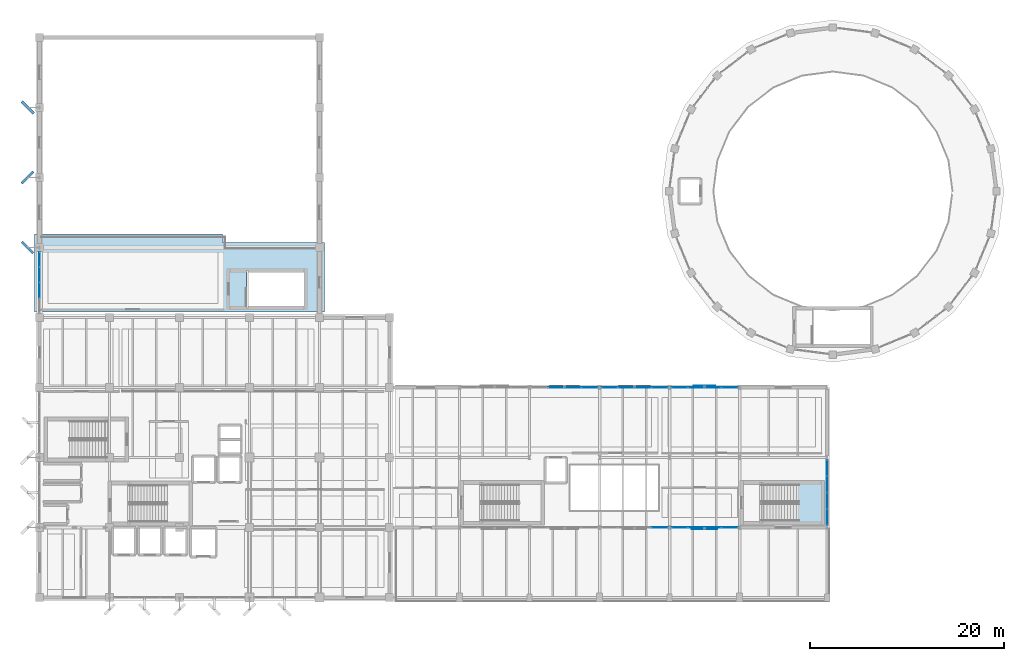
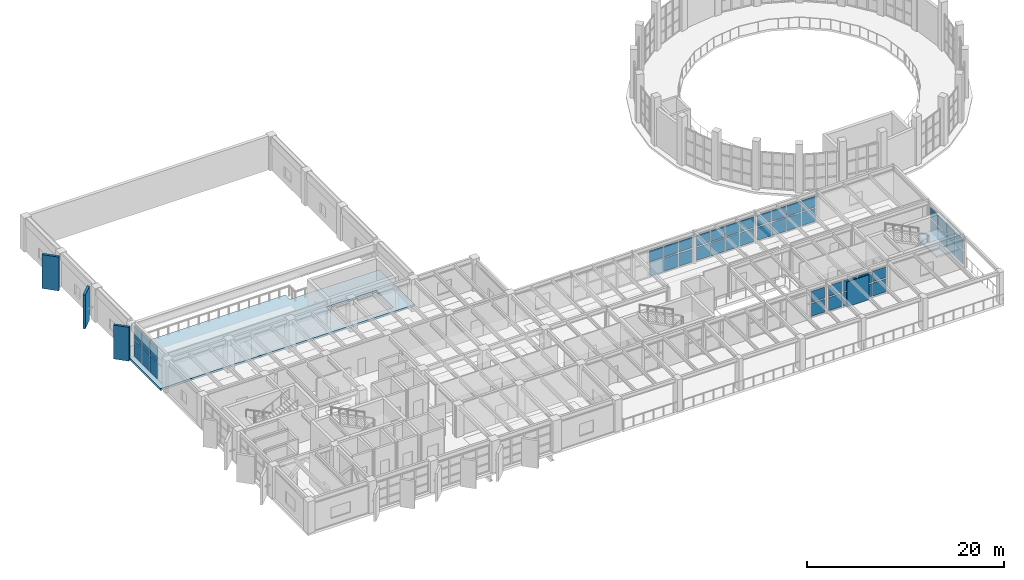
# One storey, part 36 of 59: 52 plates, 2 slabs, 8 elements without a shape of their own.
"""IFC4 building model written with IfcOpenShell, lengths in metres."""

from ifc_helpers import new_model, si_unit, direction, frame, origin, origin_2d, place, context, subcontext, project, spatial, polyline, rectangle, outline, extrude, material, layer, layer_set, type_object, element, aggregate, save


model = new_model("IFC4")

# Units and contexts
model_context = context("Model", 3, precision=1e-05, world=origin(), true_north=direction((0.0, 1.0)))
body_context = subcontext(model_context, "Body", "Model", "MODEL_VIEW")
ifc_project = project(units=[si_unit("LENGTHUNIT", "METRE"), si_unit("AREAUNIT", "SQUARE_METRE"), si_unit("VOLUMEUNIT", "CUBIC_METRE"), si_unit("PLANEANGLEUNIT", "RADIAN"), si_unit("MASSUNIT", "GRAM", prefix="KILO")], contexts=[model_context])

# Site, building, storey
site_placement = place(None, origin())
site = spatial("IfcSite", under=ifc_project, at=site_placement, CompositionType="ELEMENT")
building_placement = place(site_placement, origin())
building = spatial("IfcBuilding", under=site, at=building_placement, Name="Kandorven Conservatory and Botanical Research Centre", CompositionType="ELEMENT")
storey_placement = place(building_placement, frame((0.0, 0.0, 4.800048828125)))
storey = spatial("IfcBuildingStorey", under=building, at=storey_placement, Name="L01", CompositionType="ELEMENT", Elevation=4.800048828125)

# Curtain wall, plates
ifc_material_1 = material(Name="Bronze anodised thermally broken aluminium", Category="aluminium")
ifc_layer_1 = layer(ifc_material_1, 0.179931640625)
ifc_layer_set_1 = layer_set([ifc_layer_1], Name="Bronze anodised thermally broken aluminium")
curtain_wall_type = type_object("IfcCurtainWallType", Name="CW_Unitised", PredefinedType="USERDEFINED", material=ifc_layer_set_1)
curtain_wall_1_placement = place(storey_placement, origin())
curtain_wall_1 = element("IfcCurtainWall", 1, at=curtain_wall_1_placement, inside=storey, type_object=curtain_wall_type, Name="Auditorium foyer curtain wall CW-AUD-L01-1", ObjectType="UNITISED GLAZING", PredefinedType="USERDEFINED")
ifc_material_2 = material(Name="Double-glazed solar-control low-E glass", Category="glass")
ifc_layer_2 = layer(ifc_material_2, 0.028076171875)
ifc_layer_set_2 = layer_set([ifc_layer_2], Name="Double-glazed solar-control low-E glass")
plate_type_1 = type_object("IfcPlateType", Name="CW_Panel", PredefinedType="CURTAIN_PANEL", material=ifc_layer_set_2)
plate_1_placement = place(storey_placement, frame((6.0, 37.606201171875, 0.14990234375), z_axis=(0.0, 0.0, 1.0), x_axis=(0.0, 1.0, 0.0)))
plate_1 = element("IfcPlate", 2, at=plate_1_placement, type_object=plate_type_1, Name="CW-01 panel 2.1", PredefinedType="CURTAIN_PANEL", context=body_context, shape_type="SweptSolid", body=[
    extrude(rectangle(XDim=1.507568359375, YDim=0.028076171875, at=origin_2d()), origin(), (0.0, 0.0, 1.0), 1.97509765625),
])
plate_2_placement = place(storey_placement, frame((6.0, 37.606201171875, 2.27490234375), z_axis=(0.0, 0.0, 1.0), x_axis=(0.0, 1.0, 0.0)))
plate_2 = element("IfcPlate", 3, at=plate_2_placement, type_object=plate_type_1, Name="CW-01 panel 2.2", PredefinedType="CURTAIN_PANEL", context=body_context, shape_type="SweptSolid", body=[
    extrude(rectangle(XDim=1.507568359375, YDim=0.028076171875, at=origin_2d()), origin(), (0.0, 0.0, 1.0), 1.77490234375),
])
plate_3_placement = place(storey_placement, frame((6.0, 39.19384765625, 0.14990234375), z_axis=(0.0, 0.0, 1.0), x_axis=(0.0, 1.0, 0.0)))
plate_3 = element("IfcPlate", 4, at=plate_3_placement, type_object=plate_type_1, Name="CW-01 panel 3.1", PredefinedType="CURTAIN_PANEL", context=body_context, shape_type="SweptSolid", body=[
    extrude(rectangle(XDim=1.507568359375, YDim=0.028076171875, at=origin_2d()), origin(), (0.0, 0.0, 1.0), 1.97509765625),
])
plate_4_placement = place(storey_placement, frame((6.0, 39.19384765625, 2.27490234375), z_axis=(0.0, 0.0, 1.0), x_axis=(0.0, 1.0, 0.0)))
plate_4 = element("IfcPlate", 5, at=plate_4_placement, type_object=plate_type_1, Name="CW-01 panel 3.2", PredefinedType="CURTAIN_PANEL", context=body_context, shape_type="SweptSolid", body=[
    extrude(rectangle(XDim=1.507568359375, YDim=0.028076171875, at=origin_2d()), origin(), (0.0, 0.0, 1.0), 1.77490234375),
])
plate_5_placement = place(storey_placement, frame((6.0, 40.76123046875, 0.14990234375), z_axis=(0.0, 0.0, 1.0), x_axis=(0.0, 1.0, 0.0)))
plate_5 = element("IfcPlate", 6, at=plate_5_placement, type_object=plate_type_1, Name="CW-01 panel 4.1", PredefinedType="CURTAIN_PANEL", context=body_context, shape_type="SweptSolid", body=[
    extrude(rectangle(XDim=1.467529296875, YDim=0.028076171875, at=origin_2d()), origin(), (0.0, 0.0, 1.0), 1.97509765625),
])
plate_6_placement = place(storey_placement, frame((6.0, 40.76123046875, 2.27490234375), z_axis=(0.0, 0.0, 1.0), x_axis=(0.0, 1.0, 0.0)))
plate_6 = element("IfcPlate", 7, at=plate_6_placement, type_object=plate_type_1, Name="CW-01 panel 4.2", PredefinedType="CURTAIN_PANEL", context=body_context, shape_type="SweptSolid", body=[
    extrude(rectangle(XDim=1.467529296875, YDim=0.028076171875, at=origin_2d()), origin(), (0.0, 0.0, 1.0), 1.77490234375),
])
aggregate(curtain_wall_1, [plate_1, plate_2, plate_3, plate_4, plate_5, plate_6])

curtain_wall_2_placement = place(storey_placement, origin())
curtain_wall_2 = element("IfcCurtainWall", 8, at=curtain_wall_2_placement, inside=storey, type_object=curtain_wall_type, Name="Visitor wing unitised curtain wall CW-VIS-S-L01-4", ObjectType="UNITISED GLAZING", PredefinedType="USERDEFINED")
plate_7_placement = place(storey_placement, frame((69.7861328125, 13.199951171875, 0.14990234375), z_axis=(0.0, 0.0, 1.0), x_axis=(1.0, 0.0, 0.0)))
plate_7 = element("IfcPlate", 9, at=plate_7_placement, type_object=plate_type_1, Name="CW-01 panel 4.1", PredefinedType="CURTAIN_PANEL", context=body_context, shape_type="SweptSolid", body=[
    extrude(rectangle(XDim=1.617431640625, YDim=0.028076171875, at=origin_2d()), origin(), (0.0, 0.0, 1.0), 1.625),
])
plate_8_placement = place(storey_placement, frame((69.7861328125, 13.199951171875, 1.925048828125), z_axis=(0.0, 0.0, 1.0), x_axis=(1.0, 0.0, 0.0)))
plate_8 = element("IfcPlate", 10, at=plate_8_placement, type_object=plate_type_1, Name="CW-01 panel 4.2", PredefinedType="CURTAIN_PANEL", context=body_context, shape_type="SweptSolid", body=[
    extrude(rectangle(XDim=1.617431640625, YDim=0.028076171875, at=origin_2d()), origin(), (0.0, 0.0, 1.0), 1.3349609375),
])
aggregate(curtain_wall_2, [plate_7, plate_8])

curtain_wall_3_placement = place(storey_placement, origin())
curtain_wall_3 = element("IfcCurtainWall", 11, at=curtain_wall_3_placement, inside=storey, type_object=curtain_wall_type, Name="Visitor wing unitised curtain wall CW-VIS-S-L01-5", ObjectType="UNITISED GLAZING", PredefinedType="USERDEFINED")
plate_9_placement = place(storey_placement, frame((71.813720703125, 13.199951171875, 0.14990234375), z_axis=(0.0, 0.0, 1.0), x_axis=(1.0, 0.0, 0.0)))
plate_9 = element("IfcPlate", 12, at=plate_9_placement, type_object=plate_type_1, Name="CW-01 panel 1.1", PredefinedType="CURTAIN_PANEL", context=body_context, shape_type="SweptSolid", body=[
    extrude(rectangle(XDim=1.617431640625, YDim=0.028076171875, at=origin_2d()), origin(), (0.0, 0.0, 1.0), 1.625),
])
plate_10_placement = place(storey_placement, frame((71.813720703125, 13.199951171875, 1.925048828125), z_axis=(0.0, 0.0, 1.0), x_axis=(1.0, 0.0, 0.0)))
plate_10 = element("IfcPlate", 13, at=plate_10_placement, type_object=plate_type_1, Name="CW-01 panel 1.2", PredefinedType="CURTAIN_PANEL", context=body_context, shape_type="SweptSolid", body=[
    extrude(rectangle(XDim=1.617431640625, YDim=0.028076171875, at=origin_2d()), origin(), (0.0, 0.0, 1.0), 1.3349609375),
])
plate_11_placement = place(storey_placement, frame((73.53125, 13.199951171875, 0.14990234375), z_axis=(0.0, 0.0, 1.0), x_axis=(1.0, 0.0, 0.0)))
plate_11 = element("IfcPlate", 14, at=plate_11_placement, type_object=plate_type_1, Name="CW-01 panel 2.1", PredefinedType="CURTAIN_PANEL", context=body_context, shape_type="SweptSolid", body=[
    extrude(rectangle(XDim=1.657470703125, YDim=0.028076171875, at=origin_2d()), origin(), (0.0, 0.0, 1.0), 1.625),
])
plate_12_placement = place(storey_placement, frame((73.53125, 13.199951171875, 1.925048828125), z_axis=(0.0, 0.0, 1.0), x_axis=(1.0, 0.0, 0.0)))
plate_12 = element("IfcPlate", 15, at=plate_12_placement, type_object=plate_type_1, Name="CW-01 panel 2.2", PredefinedType="CURTAIN_PANEL", context=body_context, shape_type="SweptSolid", body=[
    extrude(rectangle(XDim=1.657470703125, YDim=0.028076171875, at=origin_2d()), origin(), (0.0, 0.0, 1.0), 1.3349609375),
])
plate_13_placement = place(storey_placement, frame((75.268798828125, 13.199951171875, 0.14990234375), z_axis=(0.0, 0.0, 1.0), x_axis=(1.0, 0.0, 0.0)))
plate_13 = element("IfcPlate", 16, at=plate_13_placement, type_object=plate_type_1, Name="CW-01 panel 3.1", PredefinedType="CURTAIN_PANEL", context=body_context, shape_type="SweptSolid", body=[
    extrude(rectangle(XDim=1.657470703125, YDim=0.028076171875, at=origin_2d()), origin(), (0.0, 0.0, 1.0), 1.625),
])
plate_14_placement = place(storey_placement, frame((75.268798828125, 13.199951171875, 1.925048828125), z_axis=(0.0, 0.0, 1.0), x_axis=(1.0, 0.0, 0.0)))
plate_14 = element("IfcPlate", 17, at=plate_14_placement, type_object=plate_type_1, Name="CW-01 panel 3.2", PredefinedType="CURTAIN_PANEL", context=body_context, shape_type="SweptSolid", body=[
    extrude(rectangle(XDim=1.657470703125, YDim=0.028076171875, at=origin_2d()), origin(), (0.0, 0.0, 1.0), 1.3349609375),
])
plate_15_placement = place(storey_placement, frame((76.986328125, 13.199951171875, 0.14990234375), z_axis=(0.0, 0.0, 1.0), x_axis=(1.0, 0.0, 0.0)))
plate_15 = element("IfcPlate", 18, at=plate_15_placement, type_object=plate_type_1, Name="CW-01 panel 4.1", PredefinedType="CURTAIN_PANEL", context=body_context, shape_type="SweptSolid", body=[
    extrude(rectangle(XDim=1.617431640625, YDim=0.028076171875, at=origin_2d()), origin(), (0.0, 0.0, 1.0), 1.625),
])
plate_16_placement = place(storey_placement, frame((76.986328125, 13.199951171875, 1.925048828125), z_axis=(0.0, 0.0, 1.0), x_axis=(1.0, 0.0, 0.0)))
plate_16 = element("IfcPlate", 19, at=plate_16_placement, type_object=plate_type_1, Name="CW-01 panel 4.2", PredefinedType="CURTAIN_PANEL", context=body_context, shape_type="SweptSolid", body=[
    extrude(rectangle(XDim=1.617431640625, YDim=0.028076171875, at=origin_2d()), origin(), (0.0, 0.0, 1.0), 1.3349609375),
])
aggregate(curtain_wall_3, [plate_9, plate_10, plate_11, plate_12, plate_13, plate_14, plate_15, plate_16])

curtain_wall_4_placement = place(storey_placement, origin())
curtain_wall_4 = element("IfcCurtainWall", 20, at=curtain_wall_4_placement, inside=storey, type_object=curtain_wall_type, Name="Visitor wing unitised curtain wall CW-VIS-N-L01-3", ObjectType="UNITISED GLAZING", PredefinedType="USERDEFINED")
plate_17_placement = place(storey_placement, frame((59.13134765625, 27.60009765625, 1.925048828125), z_axis=(0.0, 0.0, 1.0), x_axis=(1.0, 0.0, 0.0)))
plate_17 = element("IfcPlate", 21, at=plate_17_placement, type_object=plate_type_1, Name="CW-01 panel 2.2", PredefinedType="CURTAIN_PANEL", context=body_context, shape_type="SweptSolid", body=[
    extrude(rectangle(XDim=1.657470703125, YDim=0.028076171875, at=origin_2d()), origin(), (0.0, 0.0, 1.0), 1.3349609375),
])
plate_18_placement = place(storey_placement, frame((60.86865234375, 27.60009765625, 0.14990234375), z_axis=(0.0, 0.0, 1.0), x_axis=(1.0, 0.0, 0.0)))
plate_18 = element("IfcPlate", 22, at=plate_18_placement, type_object=plate_type_1, Name="CW-01 panel 3.1", PredefinedType="CURTAIN_PANEL", context=body_context, shape_type="SweptSolid", body=[
    extrude(rectangle(XDim=1.657470703125, YDim=0.028076171875, at=origin_2d()), origin(), (0.0, 0.0, 1.0), 1.625),
])
plate_19_placement = place(storey_placement, frame((60.86865234375, 27.60009765625, 1.925048828125), z_axis=(0.0, 0.0, 1.0), x_axis=(1.0, 0.0, 0.0)))
plate_19 = element("IfcPlate", 23, at=plate_19_placement, type_object=plate_type_1, Name="CW-01 panel 3.2", PredefinedType="CURTAIN_PANEL", context=body_context, shape_type="SweptSolid", body=[
    extrude(rectangle(XDim=1.657470703125, YDim=0.028076171875, at=origin_2d()), origin(), (0.0, 0.0, 1.0), 1.3349609375),
])
plate_20_placement = place(storey_placement, frame((62.586181640625, 27.60009765625, 0.14990234375), z_axis=(0.0, 0.0, 1.0), x_axis=(1.0, 0.0, 0.0)))
plate_20 = element("IfcPlate", 24, at=plate_20_placement, type_object=plate_type_1, Name="CW-01 panel 4.1", PredefinedType="CURTAIN_PANEL", context=body_context, shape_type="SweptSolid", body=[
    extrude(rectangle(XDim=1.617431640625, YDim=0.028076171875, at=origin_2d()), origin(), (0.0, 0.0, 1.0), 1.625),
])
plate_21_placement = place(storey_placement, frame((62.586181640625, 27.60009765625, 1.925048828125), z_axis=(0.0, 0.0, 1.0), x_axis=(1.0, 0.0, 0.0)))
plate_21 = element("IfcPlate", 25, at=plate_21_placement, type_object=plate_type_1, Name="CW-01 panel 4.2", PredefinedType="CURTAIN_PANEL", context=body_context, shape_type="SweptSolid", body=[
    extrude(rectangle(XDim=1.617431640625, YDim=0.028076171875, at=origin_2d()), origin(), (0.0, 0.0, 1.0), 1.3349609375),
])
aggregate(curtain_wall_4, [plate_17, plate_18, plate_19, plate_20, plate_21])

curtain_wall_5_placement = place(storey_placement, origin())
curtain_wall_5 = element("IfcCurtainWall", 26, at=curtain_wall_5_placement, inside=storey, type_object=curtain_wall_type, Name="Visitor wing unitised curtain wall CW-VIS-N-L01-4", ObjectType="UNITISED GLAZING", PredefinedType="USERDEFINED")
plate_22_placement = place(storey_placement, frame((64.61376953125, 27.60009765625, 0.14990234375), z_axis=(0.0, 0.0, 1.0), x_axis=(1.0, 0.0, 0.0)))
plate_22 = element("IfcPlate", 27, at=plate_22_placement, type_object=plate_type_1, Name="CW-01 panel 1.1", PredefinedType="CURTAIN_PANEL", context=body_context, shape_type="SweptSolid", body=[
    extrude(rectangle(XDim=1.617431640625, YDim=0.028076171875, at=origin_2d()), origin(), (0.0, 0.0, 1.0), 1.625),
])
plate_23_placement = place(storey_placement, frame((64.61376953125, 27.60009765625, 1.925048828125), z_axis=(0.0, 0.0, 1.0), x_axis=(1.0, 0.0, 0.0)))
plate_23 = element("IfcPlate", 28, at=plate_23_placement, type_object=plate_type_1, Name="CW-01 panel 1.2", PredefinedType="CURTAIN_PANEL", context=body_context, shape_type="SweptSolid", body=[
    extrude(rectangle(XDim=1.617431640625, YDim=0.028076171875, at=origin_2d()), origin(), (0.0, 0.0, 1.0), 1.3349609375),
])
plate_24_placement = place(storey_placement, frame((66.331298828125, 27.60009765625, 0.14990234375), z_axis=(0.0, 0.0, 1.0), x_axis=(1.0, 0.0, 0.0)))
plate_24 = element("IfcPlate", 29, at=plate_24_placement, type_object=plate_type_1, Name="CW-01 panel 2.1", PredefinedType="CURTAIN_PANEL", context=body_context, shape_type="SweptSolid", body=[
    extrude(rectangle(XDim=1.657470703125, YDim=0.028076171875, at=origin_2d()), origin(), (0.0, 0.0, 1.0), 1.625),
])
plate_25_placement = place(storey_placement, frame((66.331298828125, 27.60009765625, 1.925048828125), z_axis=(0.0, 0.0, 1.0), x_axis=(1.0, 0.0, 0.0)))
plate_25 = element("IfcPlate", 30, at=plate_25_placement, type_object=plate_type_1, Name="CW-01 panel 2.2", PredefinedType="CURTAIN_PANEL", context=body_context, shape_type="SweptSolid", body=[
    extrude(rectangle(XDim=1.657470703125, YDim=0.028076171875, at=origin_2d()), origin(), (0.0, 0.0, 1.0), 1.3349609375),
])
plate_26_placement = place(storey_placement, frame((68.06884765625, 27.60009765625, 0.14990234375), z_axis=(0.0, 0.0, 1.0), x_axis=(1.0, 0.0, 0.0)))
plate_26 = element("IfcPlate", 31, at=plate_26_placement, type_object=plate_type_1, Name="CW-01 panel 3.1", PredefinedType="CURTAIN_PANEL", context=body_context, shape_type="SweptSolid", body=[
    extrude(rectangle(XDim=1.657470703125, YDim=0.028076171875, at=origin_2d()), origin(), (0.0, 0.0, 1.0), 1.625),
])
plate_27_placement = place(storey_placement, frame((68.06884765625, 27.60009765625, 1.925048828125), z_axis=(0.0, 0.0, 1.0), x_axis=(1.0, 0.0, 0.0)))
plate_27 = element("IfcPlate", 32, at=plate_27_placement, type_object=plate_type_1, Name="CW-01 panel 3.2", PredefinedType="CURTAIN_PANEL", context=body_context, shape_type="SweptSolid", body=[
    extrude(rectangle(XDim=1.657470703125, YDim=0.028076171875, at=origin_2d()), origin(), (0.0, 0.0, 1.0), 1.3349609375),
])
plate_28_placement = place(storey_placement, frame((69.7861328125, 27.60009765625, 0.14990234375), z_axis=(0.0, 0.0, 1.0), x_axis=(1.0, 0.0, 0.0)))
plate_28 = element("IfcPlate", 33, at=plate_28_placement, type_object=plate_type_1, Name="CW-01 panel 4.1", PredefinedType="CURTAIN_PANEL", context=body_context, shape_type="SweptSolid", body=[
    extrude(rectangle(XDim=1.617431640625, YDim=0.028076171875, at=origin_2d()), origin(), (0.0, 0.0, 1.0), 1.625),
])
plate_29_placement = place(storey_placement, frame((69.7861328125, 27.60009765625, 1.925048828125), z_axis=(0.0, 0.0, 1.0), x_axis=(1.0, 0.0, 0.0)))
plate_29 = element("IfcPlate", 34, at=plate_29_placement, type_object=plate_type_1, Name="CW-01 panel 4.2", PredefinedType="CURTAIN_PANEL", context=body_context, shape_type="SweptSolid", body=[
    extrude(rectangle(XDim=1.617431640625, YDim=0.028076171875, at=origin_2d()), origin(), (0.0, 0.0, 1.0), 1.3349609375),
])
aggregate(curtain_wall_5, [plate_22, plate_23, plate_24, plate_25, plate_26, plate_27, plate_28, plate_29])

curtain_wall_6_placement = place(storey_placement, origin())
curtain_wall_6 = element("IfcCurtainWall", 35, at=curtain_wall_6_placement, inside=storey, type_object=curtain_wall_type, Name="Visitor wing unitised curtain wall CW-VIS-N-L01-5", ObjectType="UNITISED GLAZING", PredefinedType="USERDEFINED")
plate_30_placement = place(storey_placement, frame((71.813720703125, 27.60009765625, 0.14990234375), z_axis=(0.0, 0.0, 1.0), x_axis=(1.0, 0.0, 0.0)))
plate_30 = element("IfcPlate", 36, at=plate_30_placement, type_object=plate_type_1, Name="CW-01 panel 1.1", PredefinedType="CURTAIN_PANEL", context=body_context, shape_type="SweptSolid", body=[
    extrude(rectangle(XDim=1.617431640625, YDim=0.028076171875, at=origin_2d()), origin(), (0.0, 0.0, 1.0), 1.625),
])
plate_31_placement = place(storey_placement, frame((71.813720703125, 27.60009765625, 1.925048828125), z_axis=(0.0, 0.0, 1.0), x_axis=(1.0, 0.0, 0.0)))
plate_31 = element("IfcPlate", 37, at=plate_31_placement, type_object=plate_type_1, Name="CW-01 panel 1.2", PredefinedType="CURTAIN_PANEL", context=body_context, shape_type="SweptSolid", body=[
    extrude(rectangle(XDim=1.617431640625, YDim=0.028076171875, at=origin_2d()), origin(), (0.0, 0.0, 1.0), 1.3349609375),
])
plate_32_placement = place(storey_placement, frame((73.53125, 27.60009765625, 0.14990234375), z_axis=(0.0, 0.0, 1.0), x_axis=(1.0, 0.0, 0.0)))
plate_32 = element("IfcPlate", 38, at=plate_32_placement, type_object=plate_type_1, Name="CW-01 panel 2.1", PredefinedType="CURTAIN_PANEL", context=body_context, shape_type="SweptSolid", body=[
    extrude(rectangle(XDim=1.657470703125, YDim=0.028076171875, at=origin_2d()), origin(), (0.0, 0.0, 1.0), 1.625),
])
plate_33_placement = place(storey_placement, frame((73.53125, 27.60009765625, 1.925048828125), z_axis=(0.0, 0.0, 1.0), x_axis=(1.0, 0.0, 0.0)))
plate_33 = element("IfcPlate", 39, at=plate_33_placement, type_object=plate_type_1, Name="CW-01 panel 2.2", PredefinedType="CURTAIN_PANEL", context=body_context, shape_type="SweptSolid", body=[
    extrude(rectangle(XDim=1.657470703125, YDim=0.028076171875, at=origin_2d()), origin(), (0.0, 0.0, 1.0), 1.3349609375),
])
plate_34_placement = place(storey_placement, frame((75.268798828125, 27.60009765625, 0.14990234375), z_axis=(0.0, 0.0, 1.0), x_axis=(1.0, 0.0, 0.0)))
plate_34 = element("IfcPlate", 40, at=plate_34_placement, type_object=plate_type_1, Name="CW-01 panel 3.1", PredefinedType="CURTAIN_PANEL", context=body_context, shape_type="SweptSolid", body=[
    extrude(rectangle(XDim=1.657470703125, YDim=0.028076171875, at=origin_2d()), origin(), (0.0, 0.0, 1.0), 1.625),
])
plate_35_placement = place(storey_placement, frame((75.268798828125, 27.60009765625, 1.925048828125), z_axis=(0.0, 0.0, 1.0), x_axis=(1.0, 0.0, 0.0)))
plate_35 = element("IfcPlate", 41, at=plate_35_placement, type_object=plate_type_1, Name="CW-01 panel 3.2", PredefinedType="CURTAIN_PANEL", context=body_context, shape_type="SweptSolid", body=[
    extrude(rectangle(XDim=1.657470703125, YDim=0.028076171875, at=origin_2d()), origin(), (0.0, 0.0, 1.0), 1.3349609375),
])
plate_36_placement = place(storey_placement, frame((76.986328125, 27.60009765625, 0.14990234375), z_axis=(0.0, 0.0, 1.0), x_axis=(1.0, 0.0, 0.0)))
plate_36 = element("IfcPlate", 42, at=plate_36_placement, type_object=plate_type_1, Name="CW-01 panel 4.1", PredefinedType="CURTAIN_PANEL", context=body_context, shape_type="SweptSolid", body=[
    extrude(rectangle(XDim=1.617431640625, YDim=0.028076171875, at=origin_2d()), origin(), (0.0, 0.0, 1.0), 1.625),
])
plate_37_placement = place(storey_placement, frame((76.986328125, 27.60009765625, 1.925048828125), z_axis=(0.0, 0.0, 1.0), x_axis=(1.0, 0.0, 0.0)))
plate_37 = element("IfcPlate", 43, at=plate_37_placement, type_object=plate_type_1, Name="CW-01 panel 4.2", PredefinedType="CURTAIN_PANEL", context=body_context, shape_type="SweptSolid", body=[
    extrude(rectangle(XDim=1.617431640625, YDim=0.028076171875, at=origin_2d()), origin(), (0.0, 0.0, 1.0), 1.3349609375),
])
aggregate(curtain_wall_6, [plate_30, plate_31, plate_32, plate_33, plate_34, plate_35, plate_36, plate_37])

curtain_wall_7_placement = place(storey_placement, origin())
curtain_wall_7 = element("IfcCurtainWall", 44, at=curtain_wall_7_placement, inside=storey, type_object=curtain_wall_type, Name="Visitor wing east curtain wall CW-VIS-E-L01-1", ObjectType="UNITISED GLAZING", PredefinedType="USERDEFINED")
plate_38_placement = place(storey_placement, frame((87.0, 14.27001953125, 0.14990234375), z_axis=(0.0, 0.0, 1.0), x_axis=(0.0, 1.0, 0.0)))
plate_38 = element("IfcPlate", 45, at=plate_38_placement, type_object=plate_type_1, Name="CW-01 panel 1.1", PredefinedType="CURTAIN_PANEL", context=body_context, shape_type="SweptSolid", body=[
    extrude(rectangle(XDim=1.580078125, YDim=0.028076171875, at=origin_2d()), origin(), (0.0, 0.0, 1.0), 1.625),
])
plate_39_placement = place(storey_placement, frame((87.0, 14.27001953125, 1.925048828125), z_axis=(0.0, 0.0, 1.0), x_axis=(0.0, 1.0, 0.0)))
plate_39 = element("IfcPlate", 46, at=plate_39_placement, type_object=plate_type_1, Name="CW-01 panel 1.2", PredefinedType="CURTAIN_PANEL", context=body_context, shape_type="SweptSolid", body=[
    extrude(rectangle(XDim=1.580078125, YDim=0.028076171875, at=origin_2d()), origin(), (0.0, 0.0, 1.0), 1.3349609375),
])
plate_40_placement = place(storey_placement, frame((87.0, 15.949951171875, 0.14990234375), z_axis=(0.0, 0.0, 1.0), x_axis=(0.0, 1.0, 0.0)))
plate_40 = element("IfcPlate", 47, at=plate_40_placement, type_object=plate_type_1, Name="CW-01 panel 2.1", PredefinedType="CURTAIN_PANEL", context=body_context, shape_type="SweptSolid", body=[
    extrude(rectangle(XDim=1.6201171875, YDim=0.028076171875, at=origin_2d()), origin(), (0.0, 0.0, 1.0), 1.625),
])
plate_41_placement = place(storey_placement, frame((87.0, 15.949951171875, 1.925048828125), z_axis=(0.0, 0.0, 1.0), x_axis=(0.0, 1.0, 0.0)))
plate_41 = element("IfcPlate", 48, at=plate_41_placement, type_object=plate_type_1, Name="CW-01 panel 2.2", PredefinedType="CURTAIN_PANEL", context=body_context, shape_type="SweptSolid", body=[
    extrude(rectangle(XDim=1.6201171875, YDim=0.028076171875, at=origin_2d()), origin(), (0.0, 0.0, 1.0), 1.3349609375),
])
plate_42_placement = place(storey_placement, frame((87.0, 17.64990234375, 0.14990234375), z_axis=(0.0, 0.0, 1.0), x_axis=(0.0, 1.0, 0.0)))
plate_42 = element("IfcPlate", 49, at=plate_42_placement, type_object=plate_type_1, Name="CW-01 panel 3.1", PredefinedType="CURTAIN_PANEL", context=body_context, shape_type="SweptSolid", body=[
    extrude(rectangle(XDim=1.6201171875, YDim=0.028076171875, at=origin_2d()), origin(), (0.0, 0.0, 1.0), 1.625),
])
plate_43_placement = place(storey_placement, frame((87.0, 17.64990234375, 1.925048828125), z_axis=(0.0, 0.0, 1.0), x_axis=(0.0, 1.0, 0.0)))
plate_43 = element("IfcPlate", 50, at=plate_43_placement, type_object=plate_type_1, Name="CW-01 panel 3.2", PredefinedType="CURTAIN_PANEL", context=body_context, shape_type="SweptSolid", body=[
    extrude(rectangle(XDim=1.6201171875, YDim=0.028076171875, at=origin_2d()), origin(), (0.0, 0.0, 1.0), 1.3349609375),
])
plate_44_placement = place(storey_placement, frame((87.0, 19.330078125, 0.14990234375), z_axis=(0.0, 0.0, 1.0), x_axis=(0.0, 1.0, 0.0)))
plate_44 = element("IfcPlate", 51, at=plate_44_placement, type_object=plate_type_1, Name="CW-01 panel 4.1", PredefinedType="CURTAIN_PANEL", context=body_context, shape_type="SweptSolid", body=[
    extrude(rectangle(XDim=1.580078125, YDim=0.028076171875, at=origin_2d()), origin(), (0.0, 0.0, 1.0), 1.625),
])
plate_45_placement = place(storey_placement, frame((87.0, 19.330078125, 1.925048828125), z_axis=(0.0, 0.0, 1.0), x_axis=(0.0, 1.0, 0.0)))
plate_45 = element("IfcPlate", 52, at=plate_45_placement, type_object=plate_type_1, Name="CW-01 panel 4.2", PredefinedType="CURTAIN_PANEL", context=body_context, shape_type="SweptSolid", body=[
    extrude(rectangle(XDim=1.580078125, YDim=0.028076171875, at=origin_2d()), origin(), (0.0, 0.0, 1.0), 1.3349609375),
])
aggregate(curtain_wall_7, [plate_38, plate_39, plate_40, plate_41, plate_42, plate_43, plate_44, plate_45])

# Plates
ifc_material_3 = material(Name="Precast concrete C40/50 (M50)", Category="concrete")
ifc_layer_3 = layer(ifc_material_3, 0.260009765625)
ifc_layer_set_3 = layer_set([ifc_layer_3], Name="Precast concrete C40/50 (M50)")
plate_type_2 = type_object("IfcPlateType", Name="Fin_BF-05", PredefinedType="USERDEFINED", material=ifc_layer_set_3)
plate_46_placement = place(storey_placement, frame((4.780029296875, 42.0, -0.14990234375), z_axis=(0.0, 0.0, 1.0), x_axis=(-0.707106781187, 0.707106781187, 0.0)))
element("IfcPlate", 53, at=plate_46_placement, inside=storey, type_object=plate_type_2, Name="Auditorium sculpted concrete acoustic fin BF-05", ObjectType="SOLAR FIN", PredefinedType="USERDEFINED", context=body_context, shape_type="SweptSolid", body=[
    extrude(rectangle(XDim=1.639892578125, YDim=0.260009765625, at=origin_2d()), origin(), (0.0, 0.0, 1.0), 4.199951171875),
])
ifc_material_4 = material(Name="Precast concrete C40/50 (M50)", Category="concrete")
ifc_layer_4 = layer(ifc_material_4, 0.264892578125)
ifc_layer_set_4 = layer_set([ifc_layer_4], Name="Precast concrete C40/50 (M50)")
plate_type_3 = type_object("IfcPlateType", Name="Fin_BF-06", PredefinedType="USERDEFINED", material=ifc_layer_set_4)
plate_47_placement = place(storey_placement, frame((4.780029296875, 49.199951171875, -0.14990234375), z_axis=(0.0, 0.0, 1.0), x_axis=(0.707106781187, 0.707106781187, 0.0)))
element("IfcPlate", 54, at=plate_47_placement, inside=storey, type_object=plate_type_3, Name="Auditorium sculpted concrete acoustic fin BF-06", ObjectType="SOLAR FIN", PredefinedType="USERDEFINED", context=body_context, shape_type="SweptSolid", body=[
    extrude(rectangle(XDim=1.699951171875, YDim=0.264892578125, at=origin_2d()), origin(), (0.0, 0.0, 1.0), 4.199951171875),
])
ifc_material_5 = material(Name="Precast concrete C40/50 (M50)", Category="concrete")
ifc_layer_5 = layer(ifc_material_5, 0.27001953125)
ifc_layer_set_5 = layer_set([ifc_layer_5], Name="Precast concrete C40/50 (M50)")
plate_type_4 = type_object("IfcPlateType", Name="Fin_BF-07", PredefinedType="USERDEFINED", material=ifc_layer_set_5)
plate_48_placement = place(storey_placement, frame((4.780029296875, 56.39990234375, -0.14990234375), z_axis=(0.0, 0.0, 1.0), x_axis=(-0.707106781187, 0.707106781187, 0.0)))
element("IfcPlate", 55, at=plate_48_placement, inside=storey, type_object=plate_type_4, Name="Auditorium sculpted concrete acoustic fin BF-07", ObjectType="SOLAR FIN", PredefinedType="USERDEFINED", context=body_context, shape_type="SweptSolid", body=[
    extrude(rectangle(XDim=1.760009765625, YDim=0.27001953125, at=origin_2d()), origin(), (0.0, 0.0, 1.0), 4.199951171875),
])
ifc_material_6 = material(Name="Precast concrete C40/50 (M50)", Category="concrete")
ifc_layer_6 = layer(ifc_material_6, 0.094970703125)
ifc_layer_set_6 = layer_set([ifc_layer_6], Name="Precast concrete C40/50 (M50)")
plate_type_5 = type_object("IfcPlateType", Name="Jali_JP-05", PredefinedType="USERDEFINED", material=ifc_layer_set_6)
plate_49_placement = place(storey_placement, frame((74.39990234375, 13.06005859375, 0.0), z_axis=(0.0, 0.0, 1.0), x_axis=(1.0, 0.0, 0.0)))
element("IfcPlate", 56, at=plate_49_placement, inside=storey, type_object=plate_type_5, Name="Perforated precast concrete jali screen JP-05", ObjectType="JALI SCREEN", PredefinedType="USERDEFINED", context=body_context, shape_type="SweptSolid", body=[
    extrude(rectangle(XDim=2.60009765625, YDim=0.094970703125, at=origin_2d()), origin(), (0.0, 0.0, 1.0), 3.10009765625),
])
ifc_material_7 = material(Name="Precast concrete C40/50 (M50)", Category="concrete")
ifc_layer_7 = layer(ifc_material_7, 0.10498046875)
ifc_layer_set_7 = layer_set([ifc_layer_7], Name="Precast concrete C40/50 (M50)")
plate_type_6 = type_object("IfcPlateType", Name="Jali_JP-07", PredefinedType="USERDEFINED", material=ifc_layer_set_7)
plate_50_placement = place(storey_placement, frame((60.0, 27.739990234375, 0.0), z_axis=(0.0, 0.0, 1.0), x_axis=(1.0, 0.0, 0.0)))
element("IfcPlate", 57, at=plate_50_placement, inside=storey, type_object=plate_type_6, Name="Perforated precast concrete jali screen JP-07", ObjectType="JALI SCREEN", PredefinedType="USERDEFINED", context=body_context, shape_type="SweptSolid", body=[
    extrude(rectangle(XDim=3.0, YDim=0.10498046875, at=origin_2d()), origin(), (0.0, 0.0, 1.0), 2.800048828125),
])
ifc_material_8 = material(Name="Precast concrete C40/50 (M50)", Category="concrete")
ifc_layer_8 = layer(ifc_material_8, 0.110107421875)
ifc_layer_set_8 = layer_set([ifc_layer_8], Name="Precast concrete C40/50 (M50)")
plate_type_7 = type_object("IfcPlateType", Name="Jali_JP-08", PredefinedType="USERDEFINED", material=ifc_layer_set_8)
plate_51_placement = place(storey_placement, frame((67.199951171875, 27.739990234375, 0.0), z_axis=(0.0, 0.0, 1.0), x_axis=(1.0, 0.0, 0.0)))
element("IfcPlate", 58, at=plate_51_placement, inside=storey, type_object=plate_type_7, Name="Perforated precast concrete jali screen JP-08", ObjectType="JALI SCREEN", PredefinedType="USERDEFINED", context=body_context, shape_type="SweptSolid", body=[
    extrude(rectangle(XDim=3.199951171875, YDim=0.110107421875, at=origin_2d()), origin(), (0.0, 0.0, 1.0), 2.800048828125),
])
ifc_material_9 = material(Name="Precast concrete C40/50 (M50)", Category="concrete")
ifc_layer_9 = layer(ifc_material_9, 0.0849609375)
ifc_layer_set_9 = layer_set([ifc_layer_9], Name="Precast concrete C40/50 (M50)")
plate_type_8 = type_object("IfcPlateType", Name="Jali_JP-09", PredefinedType="USERDEFINED", material=ifc_layer_set_9)
plate_52_placement = place(storey_placement, frame((74.39990234375, 27.739990234375, 0.0), z_axis=(0.0, 0.0, 1.0), x_axis=(1.0, 0.0, 0.0)))
element("IfcPlate", 59, at=plate_52_placement, inside=storey, type_object=plate_type_8, Name="Perforated precast concrete jali screen JP-09", ObjectType="JALI SCREEN", PredefinedType="USERDEFINED", context=body_context, shape_type="SweptSolid", body=[
    extrude(rectangle(XDim=2.199951171875, YDim=0.0849609375, at=origin_2d()), origin(), (0.0, 0.0, 1.0), 2.60009765625),
])

# Slab
ifc_material_10 = material(Name="Concrete C32/40 (M40)", Category="concrete")
ifc_layer_10 = layer(ifc_material_10, 0.25)
ifc_layer_set_10 = layer_set([ifc_layer_10], Name="Concrete C32/40 (M40)")
slab_type_1 = type_object("IfcSlabType", Name="Slab_SL-06", PredefinedType="FLOOR", material=ifc_layer_set_10)
slab_1_placement = place(storey_placement, frame((0.0, 0.0, -0.25)))
element("IfcSlab", 60, at=slab_1_placement, inside=storey, type_object=slab_type_1, Name="Auditorium L01 balcony and projection gallery slab", PredefinedType="FLOOR", context=body_context, shape_type="SweptSolid", body=[
    extrude(outline(polyline([(5.5, 35.360107421875), (35.300048828125, 35.360107421875), (35.300048828125, 42.5), (24.800048828125, 42.5), (24.800048828125, 43.39990234375), (5.5, 43.39990234375), (5.5, 35.360107421875)]), holes=[polyline([(27.300048828125, 36.0), (33.199951171875, 36.0), (33.199951171875, 39.449951171875), (27.300048828125, 39.449951171875), (27.300048828125, 36.0)])]), origin(), (0.0, 0.0, 1.0), 0.25),
])

# Stair, slab
ifc_material_11 = material(Name="Concrete C32/40 (M40)", Category="concrete")
stair_type = type_object("IfcStairType", Name="Stair_1820", PredefinedType="HALF_TURN_STAIR", material=ifc_material_11)
stair_placement = place(storey_placement, origin())
stair = element("IfcStair", 61, at=stair_placement, inside=storey, type_object=stair_type, Name="L01 Visitor Wing Stair ST-V3B", PredefinedType="HALF_TURN_STAIR")
ifc_material_12 = material(Name="Concrete C32/40 (M40)", Category="concrete")
ifc_layer_11 = layer(ifc_material_12, 0.199951171875)
ifc_layer_set_11 = layer_set([ifc_layer_11], Name="Concrete C32/40 (M40)")
slab_type_2 = type_object("IfcSlabType", Name="StairLanding_200", PredefinedType="LANDING", material=ifc_layer_set_11)
slab_2_placement = place(storey_placement, frame((0.0, 0.0, 1.89990234375)))
slab_2 = element("IfcSlab", 62, at=slab_2_placement, type_object=slab_type_2, Name="ST-V3B landing 1", PredefinedType="LANDING", context=body_context, shape_type="SweptSolid", body=[
    extrude(outline(polyline([(83.95947265625, 13.610107421875), (86.6201171875, 13.610107421875), (86.6201171875, 17.8798828125), (83.95947265625, 17.8798828125), (83.95947265625, 13.610107421875)])), origin(), (0.0, 0.0, 1.0), 0.199951171875),
])
aggregate(stair, [slab_2])

save(model, "model.ifc")
